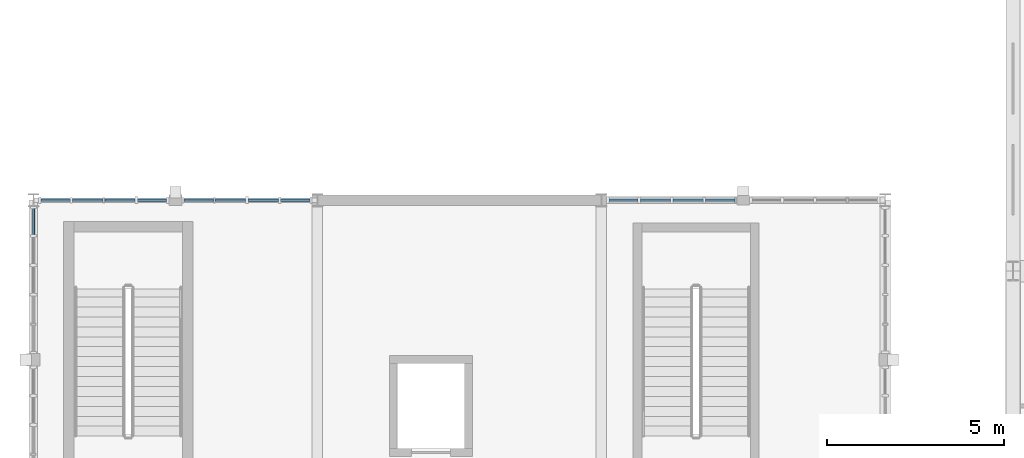
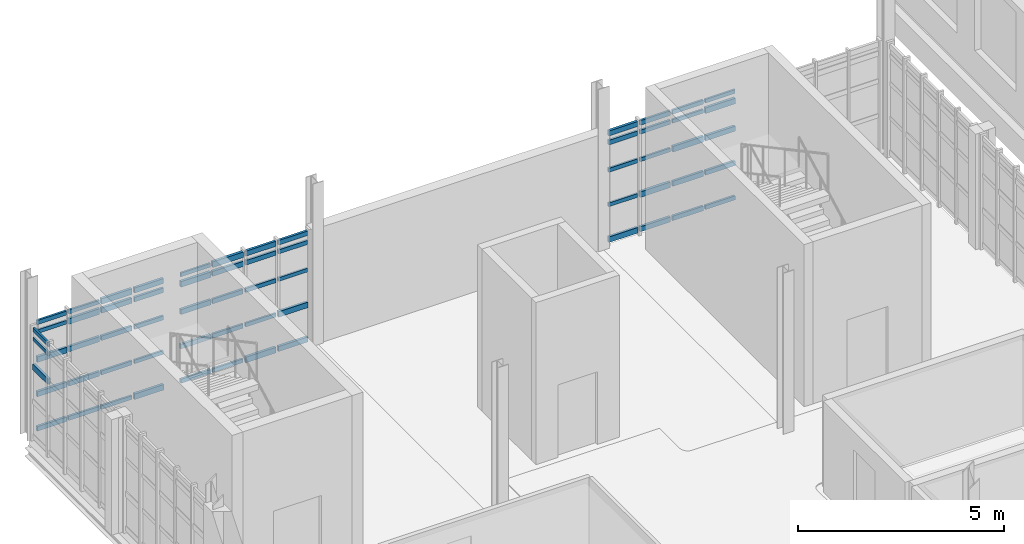
# One storey, part 63 of 128: 63 members, 4 elements without a shape of their own.
"""IFC4 building model written with IfcOpenShell, lengths in metres."""

from ifc_helpers import new_model, si_unit, direction, frame, origin, origin_2d, place, context, subcontext, project, spatial, rectangle, extrude, material, material_profile, profile_set, type_object, element, aggregate, save


model = new_model("IFC4")

# Units and contexts
model_context = context("Model", 3, precision=1e-05, world=origin(), true_north=direction((0.0, 1.0)))
body_context = subcontext(model_context, "Body", "Model", "MODEL_VIEW")
ifc_project = project(units=[si_unit("LENGTHUNIT", "METRE"), si_unit("AREAUNIT", "SQUARE_METRE"), si_unit("VOLUMEUNIT", "CUBIC_METRE"), si_unit("PLANEANGLEUNIT", "RADIAN"), si_unit("MASSUNIT", "GRAM", prefix="KILO")], contexts=[model_context])

# Site, building, storey
site_placement = place(None, origin())
site = spatial("IfcSite", under=ifc_project, at=site_placement, CompositionType="ELEMENT")
building_placement = place(site_placement, origin())
building = spatial("IfcBuilding", under=site, at=building_placement, Name="Serraforn Aerial Cableway Station", CompositionType="ELEMENT")
storey_placement = place(building_placement, frame((0.0, 0.0, 9.0)))
storey = spatial("IfcBuildingStorey", under=building, at=storey_placement, Name="L02", CompositionType="ELEMENT", Elevation=9.0)

# Curtain wall, members
ifc_material_1 = material(Name="Anodised bronze unitised curtain wall")
curtain_wall_type_1 = type_object("IfcCurtainWallType", Name="CW-SYS-27", PredefinedType="USERDEFINED", material=ifc_material_1)
curtain_wall_1_placement = place(storey_placement, origin())
curtain_wall_1 = element("IfcCurtainWall", 1, at=curtain_wall_1_placement, inside=storey, type_object=curtain_wall_type_1, Name="Unitised Curtain Wall CW-W-L02-N1A", ObjectType="UNITISED CURTAIN WALL", PredefinedType="USERDEFINED")
ifc_material_2 = material(Name="Anodised bronze extruded aluminium", Category="aluminium")
ifc_material_profile_1 = material_profile(ifc_material_2, rectangle(XDim=0.054931640625, YDim=0.110107421875, at=origin_2d()), Name="CW TRANSOM 55x110")
ifc_profile_set_1 = profile_set([ifc_material_profile_1], Name="Anodised bronze extruded aluminium")
member_type_1 = type_object("IfcMemberType", Name="CW-TRN-1", PredefinedType="USERDEFINED", material=ifc_profile_set_1)
member_1_placement = place(storey_placement, frame((7.7890625, 36.0, 2.188720703125), z_axis=(-1.0, 0.0, 0.0), x_axis=(0.0, -1.0, 0.0)))
member_1 = element("IfcMember", 2, at=member_1_placement, type_object=member_type_1, Name="Curtain Wall Transom CW-W-L02-N1A-T1-3", ObjectType="TRANSOM", PredefinedType="USERDEFINED", context=body_context, shape_type="SweptSolid", body=[
    extrude(rectangle(XDim=0.054931640625, YDim=0.110107421875, at=origin_2d()), origin(), (0.0, 0.0, 1.0), 0.822021484375),
])
member_2_placement = place(storey_placement, frame((6.90087890625, 36.0, 1.162841796875), z_axis=(-1.0, 0.0, 0.0), x_axis=(0.0, -1.0, 0.0)))
member_2 = element("IfcMember", 3, at=member_2_placement, type_object=member_type_1, Name="Curtain Wall Transom CW-W-L02-N1A-T2-2", ObjectType="TRANSOM", PredefinedType="USERDEFINED", context=body_context, shape_type="SweptSolid", body=[
    extrude(rectangle(XDim=0.054931640625, YDim=0.110107421875, at=origin_2d()), origin(), (0.0, 0.0, 1.0), 0.849365234375),
])
member_3_placement = place(storey_placement, frame((5.98046875, 36.0, 0.13671875), z_axis=(-1.0, 0.0, 0.0), x_axis=(0.0, -1.0, 0.0)))
member_3 = element("IfcMember", 4, at=member_3_placement, type_object=member_type_1, Name="Curtain Wall Transom CW-W-L02-N1A-T3-1", ObjectType="TRANSOM", PredefinedType="USERDEFINED", context=body_context, shape_type="SweptSolid", body=[
    extrude(rectangle(XDim=0.054931640625, YDim=0.110107421875, at=origin_2d()), origin(), (0.0, 0.0, 1.0), 0.85693359375),
])
member_4_placement = place(storey_placement, frame((5.072509765625, 36.0, 3.283203125), z_axis=(-1.0, 0.0, 0.0), x_axis=(0.0, -1.0, 0.0)))
member_4 = element("IfcMember", 5, at=member_4_placement, type_object=member_type_1, Name="Curtain Wall Transom CW-W-L02-N1A-T4-5", ObjectType="TRANSOM", PredefinedType="USERDEFINED", context=body_context, shape_type="SweptSolid", body=[
    extrude(rectangle(XDim=0.054931640625, YDim=0.110107421875, at=origin_2d()), origin(), (0.0, 0.0, 1.0), 0.83447265625),
])

curtain_wall_type_2 = type_object("IfcCurtainWallType", Name="CW-SYS-28", PredefinedType="USERDEFINED", material=ifc_material_1)
curtain_wall_2_placement = place(storey_placement, origin())
curtain_wall_2 = element("IfcCurtainWall", 6, at=curtain_wall_2_placement, inside=storey, type_object=curtain_wall_type_2, Name="Unitised Curtain Wall CW-W-L02-N1B", ObjectType="UNITISED CURTAIN WALL", PredefinedType="USERDEFINED")
member_5_placement = place(storey_placement, frame((3.751953125, 36.0, 1.162841796875), z_axis=(-1.0, 0.0, 0.0), x_axis=(0.0, -1.0, 0.0)))
member_5 = element("IfcMember", 7, at=member_5_placement, type_object=member_type_1, Name="Curtain Wall Transom CW-W-L02-N1B-T1-2", ObjectType="TRANSOM", PredefinedType="USERDEFINED", context=body_context, shape_type="SweptSolid", body=[
    extrude(rectangle(XDim=0.054931640625, YDim=0.110107421875, at=origin_2d()), origin(), (0.0, 0.0, 1.0), 0.814453125),
])
member_6_placement = place(storey_placement, frame((2.866455078125, 36.0, 0.13671875), z_axis=(-1.0, 0.0, 0.0), x_axis=(0.0, -1.0, 0.0)))
member_6 = element("IfcMember", 8, at=member_6_placement, type_object=member_type_1, Name="Curtain Wall Transom CW-W-L02-N1B-T2-1", ObjectType="TRANSOM", PredefinedType="USERDEFINED", context=body_context, shape_type="SweptSolid", body=[
    extrude(rectangle(XDim=0.054931640625, YDim=0.110107421875, at=origin_2d()), origin(), (0.0, 0.0, 1.0), 0.85693359375),
])
member_7_placement = place(storey_placement, frame((1.95849609375, 36.0, 3.283203125), z_axis=(-1.0, 0.0, 0.0), x_axis=(0.0, -1.0, 0.0)))
member_7 = element("IfcMember", 9, at=member_7_placement, type_object=member_type_1, Name="Curtain Wall Transom CW-W-L02-N1B-T3-5", ObjectType="TRANSOM", PredefinedType="USERDEFINED", context=body_context, shape_type="SweptSolid", body=[
    extrude(rectangle(XDim=0.054931640625, YDim=0.110107421875, at=origin_2d()), origin(), (0.0, 0.0, 1.0), 0.864501953125),
])
member_8_placement = place(storey_placement, frame((1.0380859375, 36.0, 3.009521484375), z_axis=(-1.0, 0.0, 0.0), x_axis=(0.0, -1.0, 0.0)))
member_8 = element("IfcMember", 10, at=member_8_placement, type_object=member_type_1, Name="Curtain Wall Transom CW-W-L02-N1B-T4-4", ObjectType="TRANSOM", PredefinedType="USERDEFINED", context=body_context, shape_type="SweptSolid", body=[
    extrude(rectangle(XDim=0.054931640625, YDim=0.110107421875, at=origin_2d()), origin(), (0.0, 0.0, 1.0), 0.8271484375),
])

curtain_wall_type_3 = type_object("IfcCurtainWallType", Name="CW-SYS-2", PredefinedType="USERDEFINED", material=ifc_material_1)
curtain_wall_3_placement = place(storey_placement, origin())
curtain_wall_3 = element("IfcCurtainWall", 11, at=curtain_wall_3_placement, inside=storey, type_object=curtain_wall_type_3, Name="Unitised Curtain Wall CW-W-L02-N3B", ObjectType="UNITISED CURTAIN WALL", PredefinedType="USERDEFINED")
member_9_placement = place(storey_placement, frame((19.76708984375, 36.0, 3.283203125), z_axis=(-1.0, 0.0, 0.0), x_axis=(0.0, -1.0, 0.0)))
member_9 = element("IfcMember", 12, at=member_9_placement, type_object=member_type_1, Name="Curtain Wall Transom CW-W-L02-N3B-T1-5", ObjectType="TRANSOM", PredefinedType="USERDEFINED", context=body_context, shape_type="SweptSolid", body=[
    extrude(rectangle(XDim=0.054931640625, YDim=0.110107421875, at=origin_2d()), origin(), (0.0, 0.0, 1.0), 0.837158203125),
])
member_10_placement = place(storey_placement, frame((18.8740234375, 36.0, 3.009521484375), z_axis=(-1.0, 0.0, 0.0), x_axis=(0.0, -1.0, 0.0)))
member_10 = element("IfcMember", 13, at=member_10_placement, type_object=member_type_1, Name="Curtain Wall Transom CW-W-L02-N3B-T2-4", ObjectType="TRANSOM", PredefinedType="USERDEFINED", context=body_context, shape_type="SweptSolid", body=[
    extrude(rectangle(XDim=0.054931640625, YDim=0.110107421875, at=origin_2d()), origin(), (0.0, 0.0, 1.0), 0.859619140625),
])
member_11_placement = place(storey_placement, frame((17.95361328125, 36.0, 2.188720703125), z_axis=(-1.0, 0.0, 0.0), x_axis=(0.0, -1.0, 0.0)))
member_11 = element("IfcMember", 14, at=member_11_placement, type_object=member_type_1, Name="Curtain Wall Transom CW-W-L02-N3B-T3-3", ObjectType="TRANSOM", PredefinedType="USERDEFINED", context=body_context, shape_type="SweptSolid", body=[
    extrude(rectangle(XDim=0.054931640625, YDim=0.110107421875, at=origin_2d()), origin(), (0.0, 0.0, 1.0), 0.8544921875),
])
member_12_placement = place(storey_placement, frame((17.032958984375, 36.0, 1.162841796875), z_axis=(-1.0, 0.0, 0.0), x_axis=(0.0, -1.0, 0.0)))
member_12 = element("IfcMember", 15, at=member_12_placement, type_object=member_type_1, Name="Curtain Wall Transom CW-W-L02-N3B-T4-2", ObjectType="TRANSOM", PredefinedType="USERDEFINED", context=body_context, shape_type="SweptSolid", body=[
    extrude(rectangle(XDim=0.054931640625, YDim=0.110107421875, at=origin_2d()), origin(), (0.0, 0.0, 1.0), 0.81201171875),
])

# Curtain wall, member
curtain_wall_type_4 = type_object("IfcCurtainWallType", Name="CW-SYS-3", PredefinedType="USERDEFINED", material=ifc_material_1)
curtain_wall_4_placement = place(storey_placement, origin())
curtain_wall_4 = element("IfcCurtainWall", 16, at=curtain_wall_4_placement, inside=storey, type_object=curtain_wall_type_4, Name="Unitised Curtain Wall CW-W-L02-W3A", ObjectType="UNITISED CURTAIN WALL", PredefinedType="USERDEFINED")
member_13_placement = place(storey_placement, frame((0.0, 35.763916015625, 3.009521484375), z_axis=(0.0, -1.0, 0.0), x_axis=(1.0, 0.0, 0.0)))
member_13 = element("IfcMember", 17, at=member_13_placement, type_object=member_type_1, Name="Curtain Wall Transom CW-W-L02-W3A-T1-4", ObjectType="TRANSOM", PredefinedType="USERDEFINED", context=body_context, shape_type="SweptSolid", body=[
    extrude(rectangle(XDim=0.054931640625, YDim=0.110107421875, at=origin_2d()), origin(), (0.0, 0.0, 1.0), 0.73974609375),
])

# Member
ifc_material_profile_2 = material_profile(ifc_material_2, rectangle(XDim=0.06005859375, YDim=0.1201171875, at=origin_2d()), Name="CW TRANSOM 60x120")
ifc_profile_set_2 = profile_set([ifc_material_profile_2], Name="Anodised bronze extruded aluminium")
member_type_2 = type_object("IfcMemberType", Name="CW-TRN-2", PredefinedType="USERDEFINED", material=ifc_profile_set_2)
member_14_placement = place(storey_placement, frame((7.7890625, 36.0, 3.009521484375), z_axis=(-1.0, 0.0, 0.0), x_axis=(0.0, -1.0, 0.0)))
member_14 = element("IfcMember", 18, at=member_14_placement, type_object=member_type_2, Name="Curtain Wall Transom CW-W-L02-N1A-T1-4", ObjectType="TRANSOM", PredefinedType="USERDEFINED", context=body_context, shape_type="SweptSolid", body=[
    extrude(rectangle(XDim=0.06005859375, YDim=0.1201171875, at=origin_2d()), origin(), (0.0, 0.0, 1.0), 0.822021484375),
])

member_15_placement = place(storey_placement, frame((6.90087890625, 36.0, 2.188720703125), z_axis=(-1.0, 0.0, 0.0), x_axis=(0.0, -1.0, 0.0)))
member_15 = element("IfcMember", 19, at=member_15_placement, type_object=member_type_2, Name="Curtain Wall Transom CW-W-L02-N1A-T2-3", ObjectType="TRANSOM", PredefinedType="USERDEFINED", context=body_context, shape_type="SweptSolid", body=[
    extrude(rectangle(XDim=0.06005859375, YDim=0.1201171875, at=origin_2d()), origin(), (0.0, 0.0, 1.0), 0.849365234375),
])

member_16_placement = place(storey_placement, frame((5.98046875, 36.0, 1.162841796875), z_axis=(-1.0, 0.0, 0.0), x_axis=(0.0, -1.0, 0.0)))
member_16 = element("IfcMember", 20, at=member_16_placement, type_object=member_type_2, Name="Curtain Wall Transom CW-W-L02-N1A-T3-2", ObjectType="TRANSOM", PredefinedType="USERDEFINED", context=body_context, shape_type="SweptSolid", body=[
    extrude(rectangle(XDim=0.06005859375, YDim=0.1201171875, at=origin_2d()), origin(), (0.0, 0.0, 1.0), 0.85693359375),
])

member_17_placement = place(storey_placement, frame((5.072509765625, 36.0, 0.13671875), z_axis=(-1.0, 0.0, 0.0), x_axis=(0.0, -1.0, 0.0)))
member_17 = element("IfcMember", 21, at=member_17_placement, type_object=member_type_2, Name="Curtain Wall Transom CW-W-L02-N1A-T4-1", ObjectType="TRANSOM", PredefinedType="USERDEFINED", context=body_context, shape_type="SweptSolid", body=[
    extrude(rectangle(XDim=0.06005859375, YDim=0.1201171875, at=origin_2d()), origin(), (0.0, 0.0, 1.0), 0.83447265625),
])

member_18_placement = place(storey_placement, frame((3.751953125, 36.0, 2.188720703125), z_axis=(-1.0, 0.0, 0.0), x_axis=(0.0, -1.0, 0.0)))
member_18 = element("IfcMember", 22, at=member_18_placement, type_object=member_type_2, Name="Curtain Wall Transom CW-W-L02-N1B-T1-3", ObjectType="TRANSOM", PredefinedType="USERDEFINED", context=body_context, shape_type="SweptSolid", body=[
    extrude(rectangle(XDim=0.06005859375, YDim=0.1201171875, at=origin_2d()), origin(), (0.0, 0.0, 1.0), 0.814453125),
])

member_19_placement = place(storey_placement, frame((2.866455078125, 36.0, 1.162841796875), z_axis=(-1.0, 0.0, 0.0), x_axis=(0.0, -1.0, 0.0)))
member_19 = element("IfcMember", 23, at=member_19_placement, type_object=member_type_2, Name="Curtain Wall Transom CW-W-L02-N1B-T2-2", ObjectType="TRANSOM", PredefinedType="USERDEFINED", context=body_context, shape_type="SweptSolid", body=[
    extrude(rectangle(XDim=0.06005859375, YDim=0.1201171875, at=origin_2d()), origin(), (0.0, 0.0, 1.0), 0.85693359375),
])

member_20_placement = place(storey_placement, frame((1.95849609375, 36.0, 0.13671875), z_axis=(-1.0, 0.0, 0.0), x_axis=(0.0, -1.0, 0.0)))
member_20 = element("IfcMember", 24, at=member_20_placement, type_object=member_type_2, Name="Curtain Wall Transom CW-W-L02-N1B-T3-1", ObjectType="TRANSOM", PredefinedType="USERDEFINED", context=body_context, shape_type="SweptSolid", body=[
    extrude(rectangle(XDim=0.06005859375, YDim=0.1201171875, at=origin_2d()), origin(), (0.0, 0.0, 1.0), 0.864501953125),
])

member_21_placement = place(storey_placement, frame((1.0380859375, 36.0, 3.283203125), z_axis=(-1.0, 0.0, 0.0), x_axis=(0.0, -1.0, 0.0)))
member_21 = element("IfcMember", 25, at=member_21_placement, type_object=member_type_2, Name="Curtain Wall Transom CW-W-L02-N1B-T4-5", ObjectType="TRANSOM", PredefinedType="USERDEFINED", context=body_context, shape_type="SweptSolid", body=[
    extrude(rectangle(XDim=0.06005859375, YDim=0.1201171875, at=origin_2d()), origin(), (0.0, 0.0, 1.0), 0.8271484375),
])

member_22_placement = place(storey_placement, frame((19.76708984375, 36.0, 0.13671875), z_axis=(-1.0, 0.0, 0.0), x_axis=(0.0, -1.0, 0.0)))
member_22 = element("IfcMember", 26, at=member_22_placement, type_object=member_type_2, Name="Curtain Wall Transom CW-W-L02-N3B-T1-1", ObjectType="TRANSOM", PredefinedType="USERDEFINED", context=body_context, shape_type="SweptSolid", body=[
    extrude(rectangle(XDim=0.06005859375, YDim=0.1201171875, at=origin_2d()), origin(), (0.0, 0.0, 1.0), 0.837158203125),
])

member_23_placement = place(storey_placement, frame((18.8740234375, 36.0, 3.283203125), z_axis=(-1.0, 0.0, 0.0), x_axis=(0.0, -1.0, 0.0)))
member_23 = element("IfcMember", 27, at=member_23_placement, type_object=member_type_2, Name="Curtain Wall Transom CW-W-L02-N3B-T2-5", ObjectType="TRANSOM", PredefinedType="USERDEFINED", context=body_context, shape_type="SweptSolid", body=[
    extrude(rectangle(XDim=0.06005859375, YDim=0.1201171875, at=origin_2d()), origin(), (0.0, 0.0, 1.0), 0.859619140625),
])

member_24_placement = place(storey_placement, frame((17.95361328125, 36.0, 3.009521484375), z_axis=(-1.0, 0.0, 0.0), x_axis=(0.0, -1.0, 0.0)))
member_24 = element("IfcMember", 28, at=member_24_placement, type_object=member_type_2, Name="Curtain Wall Transom CW-W-L02-N3B-T3-4", ObjectType="TRANSOM", PredefinedType="USERDEFINED", context=body_context, shape_type="SweptSolid", body=[
    extrude(rectangle(XDim=0.06005859375, YDim=0.1201171875, at=origin_2d()), origin(), (0.0, 0.0, 1.0), 0.8544921875),
])

member_25_placement = place(storey_placement, frame((17.032958984375, 36.0, 2.188720703125), z_axis=(-1.0, 0.0, 0.0), x_axis=(0.0, -1.0, 0.0)))
member_25 = element("IfcMember", 29, at=member_25_placement, type_object=member_type_2, Name="Curtain Wall Transom CW-W-L02-N3B-T4-3", ObjectType="TRANSOM", PredefinedType="USERDEFINED", context=body_context, shape_type="SweptSolid", body=[
    extrude(rectangle(XDim=0.06005859375, YDim=0.1201171875, at=origin_2d()), origin(), (0.0, 0.0, 1.0), 0.81201171875),
])

member_26_placement = place(storey_placement, frame((0.0, 35.763916015625, 3.283203125), z_axis=(0.0, -1.0, 0.0), x_axis=(1.0, 0.0, 0.0)))
member_26 = element("IfcMember", 30, at=member_26_placement, type_object=member_type_2, Name="Curtain Wall Transom CW-W-L02-W3A-T1-5", ObjectType="TRANSOM", PredefinedType="USERDEFINED", context=body_context, shape_type="SweptSolid", body=[
    extrude(rectangle(XDim=0.06005859375, YDim=0.1201171875, at=origin_2d()), origin(), (0.0, 0.0, 1.0), 0.73974609375),
])

ifc_material_profile_3 = material_profile(ifc_material_2, rectangle(XDim=0.06494140625, YDim=0.135009765625, at=origin_2d()), Name="CW TRANSOM 65x135")
ifc_profile_set_3 = profile_set([ifc_material_profile_3], Name="Anodised bronze extruded aluminium")
member_type_3 = type_object("IfcMemberType", Name="CW-TRN-3", PredefinedType="USERDEFINED", material=ifc_profile_set_3)
member_27_placement = place(storey_placement, frame((7.7890625, 36.0, 3.283203125), z_axis=(-1.0, 0.0, 0.0), x_axis=(0.0, -1.0, 0.0)))
member_27 = element("IfcMember", 31, at=member_27_placement, type_object=member_type_3, Name="Curtain Wall Transom CW-W-L02-N1A-T1-5", ObjectType="TRANSOM", PredefinedType="USERDEFINED", context=body_context, shape_type="SweptSolid", body=[
    extrude(rectangle(XDim=0.06494140625, YDim=0.135009765625, at=origin_2d()), origin(), (0.0, 0.0, 1.0), 0.822021484375),
])

member_28_placement = place(storey_placement, frame((6.90087890625, 36.0, 3.009521484375), z_axis=(-1.0, 0.0, 0.0), x_axis=(0.0, -1.0, 0.0)))
member_28 = element("IfcMember", 32, at=member_28_placement, type_object=member_type_3, Name="Curtain Wall Transom CW-W-L02-N1A-T2-4", ObjectType="TRANSOM", PredefinedType="USERDEFINED", context=body_context, shape_type="SweptSolid", body=[
    extrude(rectangle(XDim=0.06494140625, YDim=0.135009765625, at=origin_2d()), origin(), (0.0, 0.0, 1.0), 0.849365234375),
])

member_29_placement = place(storey_placement, frame((5.98046875, 36.0, 2.188720703125), z_axis=(-1.0, 0.0, 0.0), x_axis=(0.0, -1.0, 0.0)))
member_29 = element("IfcMember", 33, at=member_29_placement, type_object=member_type_3, Name="Curtain Wall Transom CW-W-L02-N1A-T3-3", ObjectType="TRANSOM", PredefinedType="USERDEFINED", context=body_context, shape_type="SweptSolid", body=[
    extrude(rectangle(XDim=0.06494140625, YDim=0.135009765625, at=origin_2d()), origin(), (0.0, 0.0, 1.0), 0.85693359375),
])

member_30_placement = place(storey_placement, frame((5.072509765625, 36.0, 1.162841796875), z_axis=(-1.0, 0.0, 0.0), x_axis=(0.0, -1.0, 0.0)))
member_30 = element("IfcMember", 34, at=member_30_placement, type_object=member_type_3, Name="Curtain Wall Transom CW-W-L02-N1A-T4-2", ObjectType="TRANSOM", PredefinedType="USERDEFINED", context=body_context, shape_type="SweptSolid", body=[
    extrude(rectangle(XDim=0.06494140625, YDim=0.135009765625, at=origin_2d()), origin(), (0.0, 0.0, 1.0), 0.83447265625),
])

member_31_placement = place(storey_placement, frame((3.751953125, 36.0, 3.009521484375), z_axis=(-1.0, 0.0, 0.0), x_axis=(0.0, -1.0, 0.0)))
member_31 = element("IfcMember", 35, at=member_31_placement, type_object=member_type_3, Name="Curtain Wall Transom CW-W-L02-N1B-T1-4", ObjectType="TRANSOM", PredefinedType="USERDEFINED", context=body_context, shape_type="SweptSolid", body=[
    extrude(rectangle(XDim=0.06494140625, YDim=0.135009765625, at=origin_2d()), origin(), (0.0, 0.0, 1.0), 0.814453125),
])

member_32_placement = place(storey_placement, frame((2.866455078125, 36.0, 2.188720703125), z_axis=(-1.0, 0.0, 0.0), x_axis=(0.0, -1.0, 0.0)))
member_32 = element("IfcMember", 36, at=member_32_placement, type_object=member_type_3, Name="Curtain Wall Transom CW-W-L02-N1B-T2-3", ObjectType="TRANSOM", PredefinedType="USERDEFINED", context=body_context, shape_type="SweptSolid", body=[
    extrude(rectangle(XDim=0.06494140625, YDim=0.135009765625, at=origin_2d()), origin(), (0.0, 0.0, 1.0), 0.85693359375),
])

member_33_placement = place(storey_placement, frame((1.95849609375, 36.0, 1.162841796875), z_axis=(-1.0, 0.0, 0.0), x_axis=(0.0, -1.0, 0.0)))
member_33 = element("IfcMember", 37, at=member_33_placement, type_object=member_type_3, Name="Curtain Wall Transom CW-W-L02-N1B-T3-2", ObjectType="TRANSOM", PredefinedType="USERDEFINED", context=body_context, shape_type="SweptSolid", body=[
    extrude(rectangle(XDim=0.06494140625, YDim=0.135009765625, at=origin_2d()), origin(), (0.0, 0.0, 1.0), 0.864501953125),
])

member_34_placement = place(storey_placement, frame((1.0380859375, 36.0, 0.13671875), z_axis=(-1.0, 0.0, 0.0), x_axis=(0.0, -1.0, 0.0)))
member_34 = element("IfcMember", 38, at=member_34_placement, type_object=member_type_3, Name="Curtain Wall Transom CW-W-L02-N1B-T4-1", ObjectType="TRANSOM", PredefinedType="USERDEFINED", context=body_context, shape_type="SweptSolid", body=[
    extrude(rectangle(XDim=0.06494140625, YDim=0.135009765625, at=origin_2d()), origin(), (0.0, 0.0, 1.0), 0.8271484375),
])

member_35_placement = place(storey_placement, frame((19.76708984375, 36.0, 1.162841796875), z_axis=(-1.0, 0.0, 0.0), x_axis=(0.0, -1.0, 0.0)))
member_35 = element("IfcMember", 39, at=member_35_placement, type_object=member_type_3, Name="Curtain Wall Transom CW-W-L02-N3B-T1-2", ObjectType="TRANSOM", PredefinedType="USERDEFINED", context=body_context, shape_type="SweptSolid", body=[
    extrude(rectangle(XDim=0.06494140625, YDim=0.135009765625, at=origin_2d()), origin(), (0.0, 0.0, 1.0), 0.837158203125),
])

member_36_placement = place(storey_placement, frame((18.8740234375, 36.0, 0.13671875), z_axis=(-1.0, 0.0, 0.0), x_axis=(0.0, -1.0, 0.0)))
member_36 = element("IfcMember", 40, at=member_36_placement, type_object=member_type_3, Name="Curtain Wall Transom CW-W-L02-N3B-T2-1", ObjectType="TRANSOM", PredefinedType="USERDEFINED", context=body_context, shape_type="SweptSolid", body=[
    extrude(rectangle(XDim=0.06494140625, YDim=0.135009765625, at=origin_2d()), origin(), (0.0, 0.0, 1.0), 0.859619140625),
])

member_37_placement = place(storey_placement, frame((17.95361328125, 36.0, 3.283203125), z_axis=(-1.0, 0.0, 0.0), x_axis=(0.0, -1.0, 0.0)))
member_37 = element("IfcMember", 41, at=member_37_placement, type_object=member_type_3, Name="Curtain Wall Transom CW-W-L02-N3B-T3-5", ObjectType="TRANSOM", PredefinedType="USERDEFINED", context=body_context, shape_type="SweptSolid", body=[
    extrude(rectangle(XDim=0.06494140625, YDim=0.135009765625, at=origin_2d()), origin(), (0.0, 0.0, 1.0), 0.8544921875),
])

member_38_placement = place(storey_placement, frame((17.032958984375, 36.0, 3.009521484375), z_axis=(-1.0, 0.0, 0.0), x_axis=(0.0, -1.0, 0.0)))
member_38 = element("IfcMember", 42, at=member_38_placement, type_object=member_type_3, Name="Curtain Wall Transom CW-W-L02-N3B-T4-4", ObjectType="TRANSOM", PredefinedType="USERDEFINED", context=body_context, shape_type="SweptSolid", body=[
    extrude(rectangle(XDim=0.06494140625, YDim=0.135009765625, at=origin_2d()), origin(), (0.0, 0.0, 1.0), 0.81201171875),
])

ifc_material_profile_4 = material_profile(ifc_material_2, rectangle(XDim=0.070068359375, YDim=0.14990234375, at=origin_2d()), Name="CW TRANSOM 70x150")
ifc_profile_set_4 = profile_set([ifc_material_profile_4], Name="Anodised bronze extruded aluminium")
member_type_4 = type_object("IfcMemberType", Name="CW-TRN-4", PredefinedType="USERDEFINED", material=ifc_profile_set_4)
member_39_placement = place(storey_placement, frame((7.7890625, 36.0, 0.13671875), z_axis=(-1.0, 0.0, 0.0), x_axis=(0.0, -1.0, 0.0)))
member_39 = element("IfcMember", 43, at=member_39_placement, type_object=member_type_4, Name="Curtain Wall Transom CW-W-L02-N1A-T1-1", ObjectType="TRANSOM", PredefinedType="USERDEFINED", context=body_context, shape_type="SweptSolid", body=[
    extrude(rectangle(XDim=0.070068359375, YDim=0.14990234375, at=origin_2d()), origin(), (0.0, 0.0, 1.0), 0.822021484375),
])

member_40_placement = place(storey_placement, frame((6.90087890625, 36.0, 3.283203125), z_axis=(-1.0, 0.0, 0.0), x_axis=(0.0, -1.0, 0.0)))
member_40 = element("IfcMember", 44, at=member_40_placement, type_object=member_type_4, Name="Curtain Wall Transom CW-W-L02-N1A-T2-5", ObjectType="TRANSOM", PredefinedType="USERDEFINED", context=body_context, shape_type="SweptSolid", body=[
    extrude(rectangle(XDim=0.070068359375, YDim=0.14990234375, at=origin_2d()), origin(), (0.0, 0.0, 1.0), 0.849365234375),
])

member_41_placement = place(storey_placement, frame((5.98046875, 36.0, 3.009521484375), z_axis=(-1.0, 0.0, 0.0), x_axis=(0.0, -1.0, 0.0)))
member_41 = element("IfcMember", 45, at=member_41_placement, type_object=member_type_4, Name="Curtain Wall Transom CW-W-L02-N1A-T3-4", ObjectType="TRANSOM", PredefinedType="USERDEFINED", context=body_context, shape_type="SweptSolid", body=[
    extrude(rectangle(XDim=0.070068359375, YDim=0.14990234375, at=origin_2d()), origin(), (0.0, 0.0, 1.0), 0.85693359375),
])

member_42_placement = place(storey_placement, frame((5.072509765625, 36.0, 2.188720703125), z_axis=(-1.0, 0.0, 0.0), x_axis=(0.0, -1.0, 0.0)))
member_42 = element("IfcMember", 46, at=member_42_placement, type_object=member_type_4, Name="Curtain Wall Transom CW-W-L02-N1A-T4-3", ObjectType="TRANSOM", PredefinedType="USERDEFINED", context=body_context, shape_type="SweptSolid", body=[
    extrude(rectangle(XDim=0.070068359375, YDim=0.14990234375, at=origin_2d()), origin(), (0.0, 0.0, 1.0), 0.83447265625),
])

member_43_placement = place(storey_placement, frame((3.751953125, 36.0, 3.283203125), z_axis=(-1.0, 0.0, 0.0), x_axis=(0.0, -1.0, 0.0)))
member_43 = element("IfcMember", 47, at=member_43_placement, type_object=member_type_4, Name="Curtain Wall Transom CW-W-L02-N1B-T1-5", ObjectType="TRANSOM", PredefinedType="USERDEFINED", context=body_context, shape_type="SweptSolid", body=[
    extrude(rectangle(XDim=0.070068359375, YDim=0.14990234375, at=origin_2d()), origin(), (0.0, 0.0, 1.0), 0.814453125),
])

member_44_placement = place(storey_placement, frame((2.866455078125, 36.0, 3.009521484375), z_axis=(-1.0, 0.0, 0.0), x_axis=(0.0, -1.0, 0.0)))
member_44 = element("IfcMember", 48, at=member_44_placement, type_object=member_type_4, Name="Curtain Wall Transom CW-W-L02-N1B-T2-4", ObjectType="TRANSOM", PredefinedType="USERDEFINED", context=body_context, shape_type="SweptSolid", body=[
    extrude(rectangle(XDim=0.070068359375, YDim=0.14990234375, at=origin_2d()), origin(), (0.0, 0.0, 1.0), 0.85693359375),
])

member_45_placement = place(storey_placement, frame((1.95849609375, 36.0, 2.188720703125), z_axis=(-1.0, 0.0, 0.0), x_axis=(0.0, -1.0, 0.0)))
member_45 = element("IfcMember", 49, at=member_45_placement, type_object=member_type_4, Name="Curtain Wall Transom CW-W-L02-N1B-T3-3", ObjectType="TRANSOM", PredefinedType="USERDEFINED", context=body_context, shape_type="SweptSolid", body=[
    extrude(rectangle(XDim=0.070068359375, YDim=0.14990234375, at=origin_2d()), origin(), (0.0, 0.0, 1.0), 0.864501953125),
])

member_46_placement = place(storey_placement, frame((1.0380859375, 36.0, 1.162841796875), z_axis=(-1.0, 0.0, 0.0), x_axis=(0.0, -1.0, 0.0)))
member_46 = element("IfcMember", 50, at=member_46_placement, type_object=member_type_4, Name="Curtain Wall Transom CW-W-L02-N1B-T4-2", ObjectType="TRANSOM", PredefinedType="USERDEFINED", context=body_context, shape_type="SweptSolid", body=[
    extrude(rectangle(XDim=0.070068359375, YDim=0.14990234375, at=origin_2d()), origin(), (0.0, 0.0, 1.0), 0.8271484375),
])

member_47_placement = place(storey_placement, frame((19.76708984375, 36.0, 2.188720703125), z_axis=(-1.0, 0.0, 0.0), x_axis=(0.0, -1.0, 0.0)))
member_47 = element("IfcMember", 51, at=member_47_placement, type_object=member_type_4, Name="Curtain Wall Transom CW-W-L02-N3B-T1-3", ObjectType="TRANSOM", PredefinedType="USERDEFINED", context=body_context, shape_type="SweptSolid", body=[
    extrude(rectangle(XDim=0.070068359375, YDim=0.14990234375, at=origin_2d()), origin(), (0.0, 0.0, 1.0), 0.837158203125),
])

member_48_placement = place(storey_placement, frame((18.8740234375, 36.0, 1.162841796875), z_axis=(-1.0, 0.0, 0.0), x_axis=(0.0, -1.0, 0.0)))
member_48 = element("IfcMember", 52, at=member_48_placement, type_object=member_type_4, Name="Curtain Wall Transom CW-W-L02-N3B-T2-2", ObjectType="TRANSOM", PredefinedType="USERDEFINED", context=body_context, shape_type="SweptSolid", body=[
    extrude(rectangle(XDim=0.070068359375, YDim=0.14990234375, at=origin_2d()), origin(), (0.0, 0.0, 1.0), 0.859619140625),
])

member_49_placement = place(storey_placement, frame((17.95361328125, 36.0, 0.13671875), z_axis=(-1.0, 0.0, 0.0), x_axis=(0.0, -1.0, 0.0)))
member_49 = element("IfcMember", 53, at=member_49_placement, type_object=member_type_4, Name="Curtain Wall Transom CW-W-L02-N3B-T3-1", ObjectType="TRANSOM", PredefinedType="USERDEFINED", context=body_context, shape_type="SweptSolid", body=[
    extrude(rectangle(XDim=0.070068359375, YDim=0.14990234375, at=origin_2d()), origin(), (0.0, 0.0, 1.0), 0.8544921875),
])

member_50_placement = place(storey_placement, frame((17.032958984375, 36.0, 3.283203125), z_axis=(-1.0, 0.0, 0.0), x_axis=(0.0, -1.0, 0.0)))
member_50 = element("IfcMember", 54, at=member_50_placement, type_object=member_type_4, Name="Curtain Wall Transom CW-W-L02-N3B-T4-5", ObjectType="TRANSOM", PredefinedType="USERDEFINED", context=body_context, shape_type="SweptSolid", body=[
    extrude(rectangle(XDim=0.070068359375, YDim=0.14990234375, at=origin_2d()), origin(), (0.0, 0.0, 1.0), 0.81201171875),
])

ifc_material_profile_5 = material_profile(ifc_material_2, rectangle(XDim=0.074951171875, YDim=0.1650390625, at=origin_2d()), Name="CW TRANSOM 75x165")
ifc_profile_set_5 = profile_set([ifc_material_profile_5], Name="Anodised bronze extruded aluminium")
member_type_5 = type_object("IfcMemberType", Name="CW-TRN-5", PredefinedType="USERDEFINED", material=ifc_profile_set_5)
member_51_placement = place(storey_placement, frame((7.7890625, 36.0, 1.162841796875), z_axis=(-1.0, 0.0, 0.0), x_axis=(0.0, -1.0, 0.0)))
member_51 = element("IfcMember", 55, at=member_51_placement, type_object=member_type_5, Name="Curtain Wall Transom CW-W-L02-N1A-T1-2", ObjectType="TRANSOM", PredefinedType="USERDEFINED", context=body_context, shape_type="SweptSolid", body=[
    extrude(rectangle(XDim=0.074951171875, YDim=0.1650390625, at=origin_2d()), origin(), (0.0, 0.0, 1.0), 0.822021484375),
])

member_52_placement = place(storey_placement, frame((6.90087890625, 36.0, 0.13671875), z_axis=(-1.0, 0.0, 0.0), x_axis=(0.0, -1.0, 0.0)))
member_52 = element("IfcMember", 56, at=member_52_placement, type_object=member_type_5, Name="Curtain Wall Transom CW-W-L02-N1A-T2-1", ObjectType="TRANSOM", PredefinedType="USERDEFINED", context=body_context, shape_type="SweptSolid", body=[
    extrude(rectangle(XDim=0.074951171875, YDim=0.1650390625, at=origin_2d()), origin(), (0.0, 0.0, 1.0), 0.849365234375),
])

member_53_placement = place(storey_placement, frame((5.98046875, 36.0, 3.283203125), z_axis=(-1.0, 0.0, 0.0), x_axis=(0.0, -1.0, 0.0)))
member_53 = element("IfcMember", 57, at=member_53_placement, type_object=member_type_5, Name="Curtain Wall Transom CW-W-L02-N1A-T3-5", ObjectType="TRANSOM", PredefinedType="USERDEFINED", context=body_context, shape_type="SweptSolid", body=[
    extrude(rectangle(XDim=0.074951171875, YDim=0.1650390625, at=origin_2d()), origin(), (0.0, 0.0, 1.0), 0.85693359375),
])

member_54_placement = place(storey_placement, frame((5.072509765625, 36.0, 3.009521484375), z_axis=(-1.0, 0.0, 0.0), x_axis=(0.0, -1.0, 0.0)))
member_54 = element("IfcMember", 58, at=member_54_placement, type_object=member_type_5, Name="Curtain Wall Transom CW-W-L02-N1A-T4-4", ObjectType="TRANSOM", PredefinedType="USERDEFINED", context=body_context, shape_type="SweptSolid", body=[
    extrude(rectangle(XDim=0.074951171875, YDim=0.1650390625, at=origin_2d()), origin(), (0.0, 0.0, 1.0), 0.83447265625),
])

aggregate(curtain_wall_1, [member_39, member_51, member_1, member_14, member_27, member_52, member_2, member_15, member_28, member_40, member_3, member_16, member_29, member_41, member_53, member_17, member_30, member_42, member_54, member_4])

member_55_placement = place(storey_placement, frame((3.751953125, 36.0, 0.13671875), z_axis=(-1.0, 0.0, 0.0), x_axis=(0.0, -1.0, 0.0)))
member_55 = element("IfcMember", 59, at=member_55_placement, type_object=member_type_5, Name="Curtain Wall Transom CW-W-L02-N1B-T1-1", ObjectType="TRANSOM", PredefinedType="USERDEFINED", context=body_context, shape_type="SweptSolid", body=[
    extrude(rectangle(XDim=0.074951171875, YDim=0.1650390625, at=origin_2d()), origin(), (0.0, 0.0, 1.0), 0.814453125),
])

member_56_placement = place(storey_placement, frame((2.866455078125, 36.0, 3.283203125), z_axis=(-1.0, 0.0, 0.0), x_axis=(0.0, -1.0, 0.0)))
member_56 = element("IfcMember", 60, at=member_56_placement, type_object=member_type_5, Name="Curtain Wall Transom CW-W-L02-N1B-T2-5", ObjectType="TRANSOM", PredefinedType="USERDEFINED", context=body_context, shape_type="SweptSolid", body=[
    extrude(rectangle(XDim=0.074951171875, YDim=0.1650390625, at=origin_2d()), origin(), (0.0, 0.0, 1.0), 0.85693359375),
])

member_57_placement = place(storey_placement, frame((1.95849609375, 36.0, 3.009521484375), z_axis=(-1.0, 0.0, 0.0), x_axis=(0.0, -1.0, 0.0)))
member_57 = element("IfcMember", 61, at=member_57_placement, type_object=member_type_5, Name="Curtain Wall Transom CW-W-L02-N1B-T3-4", ObjectType="TRANSOM", PredefinedType="USERDEFINED", context=body_context, shape_type="SweptSolid", body=[
    extrude(rectangle(XDim=0.074951171875, YDim=0.1650390625, at=origin_2d()), origin(), (0.0, 0.0, 1.0), 0.864501953125),
])

member_58_placement = place(storey_placement, frame((1.0380859375, 36.0, 2.188720703125), z_axis=(-1.0, 0.0, 0.0), x_axis=(0.0, -1.0, 0.0)))
member_58 = element("IfcMember", 62, at=member_58_placement, type_object=member_type_5, Name="Curtain Wall Transom CW-W-L02-N1B-T4-3", ObjectType="TRANSOM", PredefinedType="USERDEFINED", context=body_context, shape_type="SweptSolid", body=[
    extrude(rectangle(XDim=0.074951171875, YDim=0.1650390625, at=origin_2d()), origin(), (0.0, 0.0, 1.0), 0.8271484375),
])

aggregate(curtain_wall_2, [member_55, member_5, member_18, member_31, member_43, member_6, member_19, member_32, member_44, member_56, member_20, member_33, member_45, member_57, member_7, member_34, member_46, member_58, member_8, member_21])

member_59_placement = place(storey_placement, frame((19.76708984375, 36.0, 3.009521484375), z_axis=(-1.0, 0.0, 0.0), x_axis=(0.0, -1.0, 0.0)))
member_59 = element("IfcMember", 63, at=member_59_placement, type_object=member_type_5, Name="Curtain Wall Transom CW-W-L02-N3B-T1-4", ObjectType="TRANSOM", PredefinedType="USERDEFINED", context=body_context, shape_type="SweptSolid", body=[
    extrude(rectangle(XDim=0.074951171875, YDim=0.1650390625, at=origin_2d()), origin(), (0.0, 0.0, 1.0), 0.837158203125),
])

member_60_placement = place(storey_placement, frame((18.8740234375, 36.0, 2.188720703125), z_axis=(-1.0, 0.0, 0.0), x_axis=(0.0, -1.0, 0.0)))
member_60 = element("IfcMember", 64, at=member_60_placement, type_object=member_type_5, Name="Curtain Wall Transom CW-W-L02-N3B-T2-3", ObjectType="TRANSOM", PredefinedType="USERDEFINED", context=body_context, shape_type="SweptSolid", body=[
    extrude(rectangle(XDim=0.074951171875, YDim=0.1650390625, at=origin_2d()), origin(), (0.0, 0.0, 1.0), 0.859619140625),
])

member_61_placement = place(storey_placement, frame((17.95361328125, 36.0, 1.162841796875), z_axis=(-1.0, 0.0, 0.0), x_axis=(0.0, -1.0, 0.0)))
member_61 = element("IfcMember", 65, at=member_61_placement, type_object=member_type_5, Name="Curtain Wall Transom CW-W-L02-N3B-T3-2", ObjectType="TRANSOM", PredefinedType="USERDEFINED", context=body_context, shape_type="SweptSolid", body=[
    extrude(rectangle(XDim=0.074951171875, YDim=0.1650390625, at=origin_2d()), origin(), (0.0, 0.0, 1.0), 0.8544921875),
])

member_62_placement = place(storey_placement, frame((17.032958984375, 36.0, 0.13671875), z_axis=(-1.0, 0.0, 0.0), x_axis=(0.0, -1.0, 0.0)))
member_62 = element("IfcMember", 66, at=member_62_placement, type_object=member_type_5, Name="Curtain Wall Transom CW-W-L02-N3B-T4-1", ObjectType="TRANSOM", PredefinedType="USERDEFINED", context=body_context, shape_type="SweptSolid", body=[
    extrude(rectangle(XDim=0.074951171875, YDim=0.1650390625, at=origin_2d()), origin(), (0.0, 0.0, 1.0), 0.81201171875),
])

aggregate(curtain_wall_3, [member_22, member_35, member_47, member_59, member_9, member_36, member_48, member_60, member_10, member_23, member_49, member_61, member_11, member_24, member_37, member_62, member_12, member_25, member_38, member_50])

member_63_placement = place(storey_placement, frame((0.0, 35.763916015625, 2.188720703125), z_axis=(0.0, -1.0, 0.0), x_axis=(1.0, 0.0, 0.0)))
member_63 = element("IfcMember", 67, at=member_63_placement, type_object=member_type_5, Name="Curtain Wall Transom CW-W-L02-W3A-T1-3", ObjectType="TRANSOM", PredefinedType="USERDEFINED", context=body_context, shape_type="SweptSolid", body=[
    extrude(rectangle(XDim=0.074951171875, YDim=0.1650390625, at=origin_2d()), origin(), (0.0, 0.0, 1.0), 0.73974609375),
])

aggregate(curtain_wall_4, [member_63, member_13, member_26])

save(model, "model.ifc")
